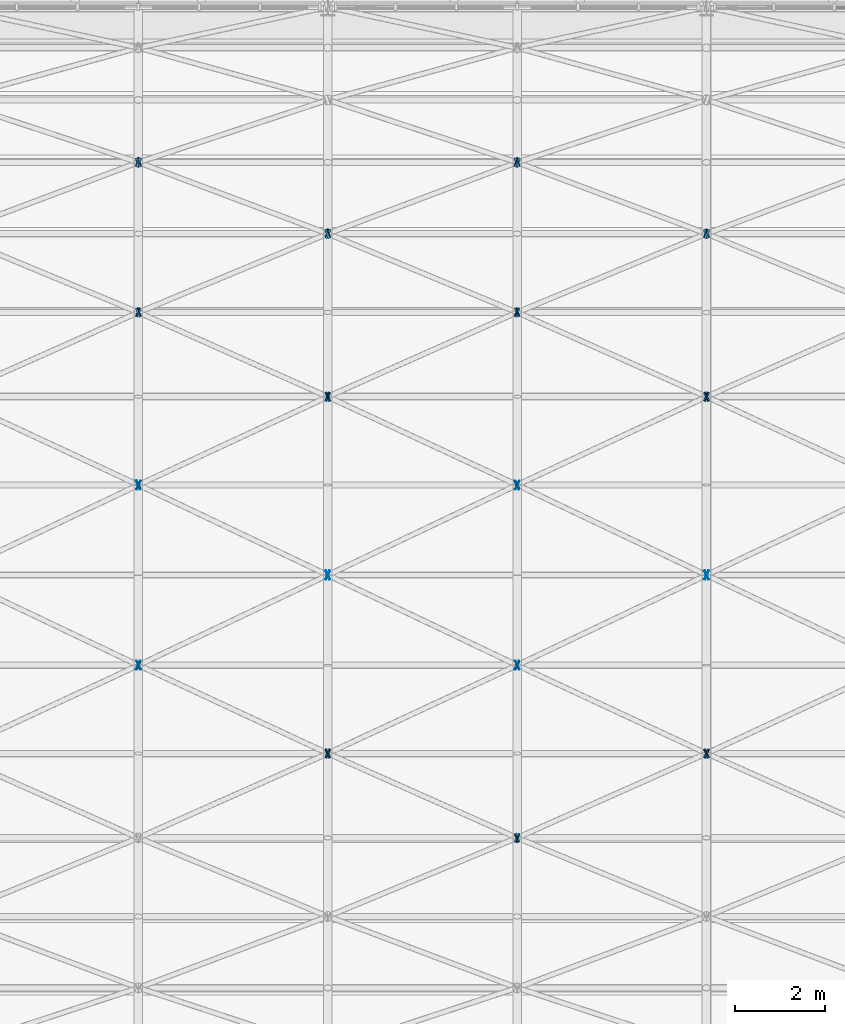
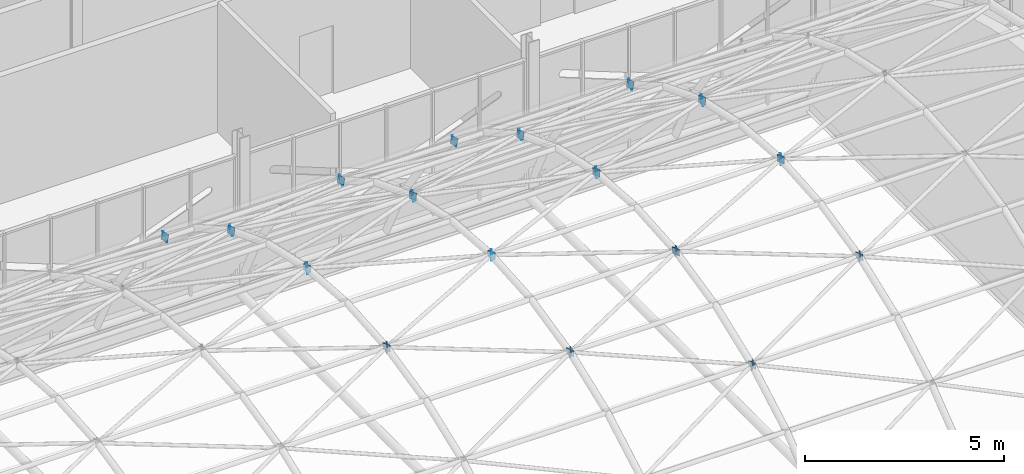
# One storey, part 114 of 121: 68 discrete accessories.
"""IFC4 building model written with IfcOpenShell, lengths in metres."""

from ifc_helpers import new_model, si_unit, direction, frame, origin, origin_2d, place, context, subcontext, project, spatial, rectangle, extrude, material, material_profile, profile_set, type_object, element, save


model = new_model("IFC4")

# Units and contexts
model_context = context("Model", 3, precision=1e-05, world=origin(), true_north=direction((0.0, 1.0)))
body_context = subcontext(model_context, "Body", "Model", "MODEL_VIEW")
ifc_project = project(units=[si_unit("LENGTHUNIT", "METRE"), si_unit("AREAUNIT", "SQUARE_METRE"), si_unit("VOLUMEUNIT", "CUBIC_METRE"), si_unit("PLANEANGLEUNIT", "RADIAN"), si_unit("MASSUNIT", "GRAM", prefix="KILO")], contexts=[model_context])

# Site, building, storey
site_placement = place(None, origin())
site = spatial("IfcSite", under=ifc_project, at=site_placement, CompositionType="ELEMENT")
building_placement = place(site_placement, origin())
building = spatial("IfcBuilding", under=site, at=building_placement, Name="Ardhachandra Cancer Care Centre", CompositionType="ELEMENT")
storey_placement = place(building_placement, frame((0.0, 0.0, 9.0)))
storey = spatial("IfcBuildingStorey", under=building, at=storey_placement, Name="L02", CompositionType="ELEMENT", Elevation=9.0)

# Discrete accessories
ifc_material = material(Name="Steel E250 (IS 2062)", Category="steel")
ifc_material_profile = material_profile(ifc_material, rectangle(XDim=0.21435546875, YDim=0.21435546875, at=origin_2d()), Name="PL 214x214x12")
ifc_profile_set = profile_set([ifc_material_profile], Name="Steel E250 (IS 2062)")
discrete_accessory_type = type_object("IfcDiscreteAccessoryType", Name="Diagonal end plate 214 x 214 x 12", PredefinedType="BRACKET", material=ifc_profile_set)
for number, where, z_axis, x_axis, name in (
    (1, (90.60009765625, 65.20068359375, 8.252685546875), (-0.903257601642, -0.421520214099, -0.08028956459), (0.422885465331, -0.906183139995, 0.0), "Diagonal end plate Hall shell diagonal 10-06 2"),
    (2, (90.60009765625, 65.20068359375, 8.252685546875), (-0.905449091159, 0.422542909207, 0.040242181829), (-0.422885465331, -0.906183139995, 0.0), "Diagonal end plate Hall shell diagonal 11-07 1"),
    (3, (90.60009765625, 69.19921875, 8.252685546875), (-0.905449091159, -0.422542909207, 0.040242181829), (0.422885465331, -0.906183139995, 0.0), "Diagonal end plate Hall shell diagonal 10-08 2"),
    (4, (90.60009765625, 69.19921875, 8.252685546875), (-0.903257601642, 0.421520214099, -0.08028956459), (-0.422885465331, -0.906183139995, 0.0), "Diagonal end plate Hall shell diagonal 11-09 1"),
):
    element("IfcDiscreteAccessory", number, at=place(storey_placement, frame(where, z_axis=z_axis, x_axis=x_axis)), inside=storey, type_object=discrete_accessory_type, Name=name, PredefinedType="BRACKET", context=body_context, shape_type="SweptSolid", body=[
        extrude(rectangle(XDim=0.21435546875, YDim=0.21435546875, at=origin_2d()), origin(), (0.0, 0.0, 1.0), 0.01220703125),
    ])
discrete_accessory_1_placement = place(storey_placement, frame((90.60009765625, 73.0263671875, 7.093994140625), z_axis=(-0.909137290097, -0.38385796693, 0.161624407128), x_axis=(0.38897203704, -0.921249561411, 0.0)))
element("IfcDiscreteAccessory", 5, at=discrete_accessory_1_placement, inside=storey, type_object=discrete_accessory_type, Name="Diagonal end plate Hall shell diagonal 10-10 2", PredefinedType="BRACKET", context=body_context, shape_type="SweptSolid", body=[
    extrude(rectangle(XDim=0.21435546875, YDim=0.21435546875, at=origin_2d()), origin(), (0.0, 0.0, 1.0), 0.011962890625),
])
for number, where, z_axis, x_axis, name in (
    (6, (90.60009765625, 73.0263671875, 7.093994140625), (-0.902530633635, 0.381068489757, -0.20056236303), (-0.38897203704, -0.921249561411, 0.0), "Diagonal end plate Hall shell diagonal 11-11 1"),
    (7, (90.60009765625, 76.353515625, 4.8759765625), (-0.903075694963, -0.341161929208, 0.260888534101), (0.353400568719, -0.935472093667, 0.0), "Diagonal end plate Hall shell diagonal 10-12 2"),
    (8, (90.60009765625, 76.353515625, 4.8759765625), (-0.904534033733, 0.301511344578, -0.301511344578), (-0.316227766017, -0.948683298051, 0.0), "Diagonal end plate Hall shell diagonal 11-13 1"),
    (9, (94.800048828125, 63.244384765625, 7.814208984375), (-0.904716823274, -0.4020963659, -0.140733728065), (0.406138466053, -0.91381154862, 0.0), "Diagonal end plate Hall shell diagonal 11-05 2"),
    (10, (94.800048828125, 63.244384765625, 7.814208984375), (-0.901624387163, 0.420758047343, 0.100180487463), (-0.422885465331, -0.906183139995, 0.0), "Diagonal end plate Hall shell diagonal 12-06 1"),
):
    element("IfcDiscreteAccessory", number, at=place(storey_placement, frame(where, z_axis=z_axis, x_axis=x_axis)), inside=storey, type_object=discrete_accessory_type, Name=name, PredefinedType="BRACKET", context=body_context, shape_type="SweptSolid", body=[
        extrude(rectangle(XDim=0.21435546875, YDim=0.21435546875, at=origin_2d()), origin(), (0.0, 0.0, 1.0), 0.01220703125),
    ])
for number, where, z_axis, x_axis, name in (
    (11, (90.60009765625, 65.20068359375, 8.252685546875), (0.899458907781, -0.429287205986, -0.081768991616), (0.430729586215, 0.902481037784, 0.0), "Diagonal end plate Hall shell diagonal 12-06 2"),
    (12, (90.60009765625, 65.20068359375, 8.252685546875), (0.901722650223, 0.430367628516, 0.040987393192), (-0.430729586215, 0.902481037784, 0.0), "Diagonal end plate Hall shell diagonal 11-07 1"),
):
    element("IfcDiscreteAccessory", number, at=place(storey_placement, frame(where, z_axis=z_axis, x_axis=x_axis)), inside=storey, type_object=discrete_accessory_type, Name=name, PredefinedType="BRACKET", context=body_context, shape_type="SweptSolid", body=[
        extrude(rectangle(XDim=0.21435546875, YDim=0.21435546875, at=origin_2d()), origin(), (0.0, 0.0, 1.0), 0.011962890625),
    ])
for number, where, z_axis, x_axis, name in (
    (13, (94.800048828125, 67.199951171875, 8.39990234375), (-0.905999460427, -0.422799748199, -0.020133321343), (0.422885465331, -0.906183139995, 0.0), "Diagonal end plate Hall shell diagonal 11-07 2"),
    (14, (94.800048828125, 67.199951171875, 8.39990234375), (-0.905999460427, 0.422799748199, -0.020133321343), (-0.422885465331, -0.906183139995, 0.0), "Diagonal end plate Hall shell diagonal 12-08 1"),
):
    element("IfcDiscreteAccessory", number, at=place(storey_placement, frame(where, z_axis=z_axis, x_axis=x_axis)), inside=storey, type_object=discrete_accessory_type, Name=name, PredefinedType="BRACKET", context=body_context, shape_type="SweptSolid", body=[
        extrude(rectangle(XDim=0.21435546875, YDim=0.21435546875, at=origin_2d()), origin(), (0.0, 0.0, 1.0), 0.01220703125),
    ])
for number, where, z_axis, x_axis, name in (
    (15, (90.60009765625, 69.19921875, 8.252685546875), (0.901722650223, -0.430367628516, 0.040987393192), (0.430729586215, 0.902481037784, 0.0), "Diagonal end plate Hall shell diagonal 12-08 2"),
    (16, (90.60009765625, 69.19921875, 8.252685546875), (0.899458907781, 0.429287205986, -0.081768991616), (-0.430729586215, 0.902481037784, 0.0), "Diagonal end plate Hall shell diagonal 11-09 1"),
):
    element("IfcDiscreteAccessory", number, at=place(storey_placement, frame(where, z_axis=z_axis, x_axis=x_axis)), inside=storey, type_object=discrete_accessory_type, Name=name, PredefinedType="BRACKET", context=body_context, shape_type="SweptSolid", body=[
        extrude(rectangle(XDim=0.21435546875, YDim=0.21435546875, at=origin_2d()), origin(), (0.0, 0.0, 1.0), 0.011962890625),
    ])
for number, where, z_axis, x_axis, name in (
    (17, (94.800048828125, 71.155517578125, 7.814208984375), (-0.901624387163, -0.420758047343, 0.100180487463), (0.422885465331, -0.906183139995, 0.0), "Diagonal end plate Hall shell diagonal 11-09 2"),
    (18, (94.800048828125, 71.155517578125, 7.814208984375), (-0.904716823274, 0.4020963659, -0.140733728065), (-0.406138466053, -0.91381154862, 0.0), "Diagonal end plate Hall shell diagonal 12-10 1"),
):
    element("IfcDiscreteAccessory", number, at=place(storey_placement, frame(where, z_axis=z_axis, x_axis=x_axis)), inside=storey, type_object=discrete_accessory_type, Name=name, PredefinedType="BRACKET", context=body_context, shape_type="SweptSolid", body=[
        extrude(rectangle(XDim=0.21435546875, YDim=0.21435546875, at=origin_2d()), origin(), (0.0, 0.0, 1.0), 0.01220703125),
    ])
for number, where, z_axis, x_axis, name in (
    (19, (90.60009765625, 73.0263671875, 7.093994140625), (0.905533836482, -0.391025974844, 0.164642515724), (0.3964360163, 0.918062353536, 0.0), "Diagonal end plate Hall shell diagonal 12-10 2"),
    (20, (90.60009765625, 73.0263671875, 7.093994140625), (0.898708107226, 0.388078500848, -0.204251842551), (-0.3964360163, 0.918062353536, 0.0), "Diagonal end plate Hall shell diagonal 11-11 1"),
):
    element("IfcDiscreteAccessory", number, at=place(storey_placement, frame(where, z_axis=z_axis, x_axis=x_axis)), inside=storey, type_object=discrete_accessory_type, Name=name, PredefinedType="BRACKET", context=body_context, shape_type="SweptSolid", body=[
        extrude(rectangle(XDim=0.21435546875, YDim=0.21435546875, at=origin_2d()), origin(), (0.0, 0.0, 1.0), 0.011962890625),
    ])
discrete_accessory_2_placement = place(storey_placement, frame((94.800048828125, 74.771728515625, 6.107421875), z_axis=(-0.898742639841, -0.3794691146, 0.219692645294), x_axis=(0.38897203704, -0.921249561411, 0.0)))
element("IfcDiscreteAccessory", 21, at=discrete_accessory_2_placement, inside=storey, type_object=discrete_accessory_type, Name="Diagonal end plate Hall shell diagonal 11-11 2", PredefinedType="BRACKET", context=body_context, shape_type="SweptSolid", body=[
    extrude(rectangle(XDim=0.21435546875, YDim=0.21435546875, at=origin_2d()), origin(), (0.0, 0.0, 1.0), 0.01220703125),
])
for number, where, z_axis, x_axis, name in (
    (22, (94.800048828125, 74.771728515625, 6.107421875), (-0.909137290097, 0.323248814257, -0.262639661584), (-0.335009667655, -0.942214690279, 0.0), "Diagonal end plate Hall shell diagonal 12-12 1"),
    (23, (90.60009765625, 76.353515625, 4.8759765625), (0.899271031245, -0.347445625708, 0.265693713777), (0.360399279202, 0.932798134406, 0.0), "Diagonal end plate Hall shell diagonal 12-12 2"),
    (24, (90.60009765625, 76.353515625, 4.8759765625), (0.900777348936, 0.307083187137, -0.307083187137), (-0.322673927788, 0.946510188179, 0.0), "Diagonal end plate Hall shell diagonal 11-13 1"),
    (25, (99.0, 61.37353515625, 7.093994140625), (-0.905725666552, -0.370524136317, -0.205846742398), (0.378632845721, -0.925546956206, 0.0), "Diagonal end plate Hall shell diagonal 12-04 2"),
    (26, (99.0, 61.37353515625, 7.093994140625), (-0.89814623902, 0.408248290464, 0.163299316186), (-0.413802944301, -0.910366477463, 0.0), "Diagonal end plate Hall shell diagonal 13-05 1"),
    (27, (94.800048828125, 63.244384765625, 7.814208984375), (0.900966171356, -0.409530077889, -0.143335527261), (0.413802944301, 0.910366477463, 0.0), "Diagonal end plate Hall shell diagonal 13-05 2"),
    (28, (94.800048828125, 63.244384765625, 7.814208984375), (0.897772245151, 0.428482207913, 0.102019573313), (-0.430729586215, 0.902481037784, 0.0), "Diagonal end plate Hall shell diagonal 12-06 1"),
    (29, (99.0, 65.20068359375, 8.252685546875), (-0.899458907781, -0.429287205986, -0.081768991616), (0.430729586215, -0.902481037784, 0.0), "Diagonal end plate Hall shell diagonal 12-06 2"),
    (30, (99.0, 65.20068359375, 8.252685546875), (-0.901722650223, 0.430367628516, 0.040987393192), (-0.430729586215, -0.902481037784, 0.0), "Diagonal end plate Hall shell diagonal 13-07 1"),
    (31, (94.800048828125, 67.199951171875, 8.39990234375), (0.902291261515, -0.430639011177, -0.02050661958), (0.430729586215, 0.902481037784, 0.0), "Diagonal end plate Hall shell diagonal 13-07 2"),
    (32, (94.800048828125, 67.199951171875, 8.39990234375), (0.902291261515, 0.430639011177, -0.02050661958), (-0.430729586215, 0.902481037784, 0.0), "Diagonal end plate Hall shell diagonal 12-08 1"),
    (33, (99.0, 69.19921875, 8.252685546875), (-0.901722650223, -0.430367628516, 0.040987393192), (0.430729586215, -0.902481037784, 0.0), "Diagonal end plate Hall shell diagonal 12-08 2"),
    (34, (99.0, 69.19921875, 8.252685546875), (-0.899458907781, 0.429287205986, -0.081768991616), (-0.430729586215, -0.902481037784, 0.0), "Diagonal end plate Hall shell diagonal 13-09 1"),
    (35, (94.800048828125, 71.155517578125, 7.814208984375), (0.897772245151, -0.428482207913, 0.102019573313), (0.430729586215, 0.902481037784, 0.0), "Diagonal end plate Hall shell diagonal 13-09 2"),
    (36, (94.800048828125, 71.155517578125, 7.814208984375), (0.900966171356, 0.409530077889, -0.143335527261), (-0.413802944301, 0.910366477463, 0.0), "Diagonal end plate Hall shell diagonal 12-10 1"),
    (37, (99.0, 73.0263671875, 7.093994140625), (-0.905533836482, -0.391025974844, 0.164642515724), (0.3964360163, -0.918062353536, 0.0), "Diagonal end plate Hall shell diagonal 12-10 2"),
    (38, (99.0, 73.0263671875, 7.093994140625), (-0.898708107226, 0.388078500848, -0.204251842551), (-0.3964360163, -0.918062353536, 0.0), "Diagonal end plate Hall shell diagonal 13-11 1"),
    (39, (94.800048828125, 74.771728515625, 6.107421875), (0.89479701826, -0.386389621521, 0.223699254565), (0.3964360163, 0.918062353536, 0.0), "Diagonal end plate Hall shell diagonal 13-11 2"),
    (40, (94.800048828125, 74.771728515625, 6.107421875), (0.905533836482, 0.329285031448, -0.267544088051), (-0.341743063087, 0.939793423488, 0.0), "Diagonal end plate Hall shell diagonal 12-12 1"),
    (41, (99.0, 76.353515625, 4.8759765625), (-0.899271031245, -0.347445625708, 0.265693713777), (0.360399279202, -0.932798134406, 0.0), "Diagonal end plate Hall shell diagonal 12-12 2"),
    (42, (99.0, 76.353515625, 4.8759765625), (-0.900777348936, 0.307083187137, -0.307083187137), (-0.322673927788, -0.946510188179, 0.0), "Diagonal end plate Hall shell diagonal 13-13 1"),
    (43, (99.0, 61.37353515625, 7.093994140625), (0.905725666552, -0.370524136317, -0.205846742398), (0.378632845721, 0.925546956206, 0.0), "Diagonal end plate Hall shell diagonal 14-04 2"),
    (44, (99.0, 61.37353515625, 7.093994140625), (0.89814623902, 0.408248290464, 0.163299316186), (-0.413802944301, 0.910366477463, 0.0), "Diagonal end plate Hall shell diagonal 13-05 1"),
    (45, (103.199951171875, 63.244384765625, 7.814208984375), (-0.900966171356, -0.409530077889, -0.143335527261), (0.413802944301, -0.910366477463, 0.0), "Diagonal end plate Hall shell diagonal 13-05 2"),
    (46, (103.199951171875, 63.244384765625, 7.814208984375), (-0.897772245151, 0.428482207913, 0.102019573313), (-0.430729586215, -0.902481037784, 0.0), "Diagonal end plate Hall shell diagonal 14-06 1"),
    (47, (99.0, 65.20068359375, 8.252685546875), (0.899458907781, -0.429287205986, -0.081768991616), (0.430729586215, 0.902481037784, 0.0), "Diagonal end plate Hall shell diagonal 14-06 2"),
    (48, (99.0, 65.20068359375, 8.252685546875), (0.901722650223, 0.430367628516, 0.040987393192), (-0.430729586215, 0.902481037784, 0.0), "Diagonal end plate Hall shell diagonal 13-07 1"),
    (49, (103.199951171875, 67.199951171875, 8.39990234375), (-0.902291261515, -0.430639011177, -0.02050661958), (0.430729586215, -0.902481037784, 0.0), "Diagonal end plate Hall shell diagonal 13-07 2"),
    (50, (103.199951171875, 67.199951171875, 8.39990234375), (-0.902291261515, 0.430639011177, -0.02050661958), (-0.430729586215, -0.902481037784, 0.0), "Diagonal end plate Hall shell diagonal 14-08 1"),
    (51, (99.0, 69.19921875, 8.252685546875), (0.901722650223, -0.430367628516, 0.040987393192), (0.430729586215, 0.902481037784, 0.0), "Diagonal end plate Hall shell diagonal 14-08 2"),
    (52, (99.0, 69.19921875, 8.252685546875), (0.899458907781, 0.429287205986, -0.081768991616), (-0.430729586215, 0.902481037784, 0.0), "Diagonal end plate Hall shell diagonal 13-09 1"),
    (53, (103.199951171875, 71.155517578125, 7.814208984375), (-0.897772245151, -0.428482207913, 0.102019573313), (0.430729586215, -0.902481037784, 0.0), "Diagonal end plate Hall shell diagonal 13-09 2"),
    (54, (103.199951171875, 71.155517578125, 7.814208984375), (-0.900966171356, 0.409530077889, -0.143335527261), (-0.413802944301, -0.910366477463, 0.0), "Diagonal end plate Hall shell diagonal 14-10 1"),
    (55, (99.0, 73.0263671875, 7.093994140625), (0.905533836482, -0.391025974844, 0.164642515724), (0.3964360163, 0.918062353536, 0.0), "Diagonal end plate Hall shell diagonal 14-10 2"),
    (56, (99.0, 73.0263671875, 7.093994140625), (0.898708107226, 0.388078500848, -0.204251842551), (-0.3964360163, 0.918062353536, 0.0), "Diagonal end plate Hall shell diagonal 13-11 1"),
    (57, (103.199951171875, 74.771728515625, 6.107421875), (-0.89479701826, -0.386389621521, 0.223699254565), (0.3964360163, -0.918062353536, 0.0), "Diagonal end plate Hall shell diagonal 13-11 2"),
    (58, (103.199951171875, 74.771728515625, 6.107421875), (-0.905533836482, 0.329285031448, -0.267544088051), (-0.341743063087, -0.939793423488, 0.0), "Diagonal end plate Hall shell diagonal 14-12 1"),
    (59, (99.0, 76.353515625, 4.8759765625), (0.899271031245, -0.347445625708, 0.265693713777), (0.360399279202, 0.932798134406, 0.0), "Diagonal end plate Hall shell diagonal 14-12 2"),
    (60, (99.0, 76.353515625, 4.8759765625), (0.900777348936, 0.307083187137, -0.307083187137), (-0.322673927788, 0.946510188179, 0.0), "Diagonal end plate Hall shell diagonal 13-13 1"),
):
    element("IfcDiscreteAccessory", number, at=place(storey_placement, frame(where, z_axis=z_axis, x_axis=x_axis)), inside=storey, type_object=discrete_accessory_type, Name=name, PredefinedType="BRACKET", context=body_context, shape_type="SweptSolid", body=[
        extrude(rectangle(XDim=0.21435546875, YDim=0.21435546875, at=origin_2d()), origin(), (0.0, 0.0, 1.0), 0.011962890625),
    ])
for number, where, z_axis, x_axis, name in (
    (61, (103.199951171875, 63.244384765625, 7.814208984375), (0.904716823274, -0.4020963659, -0.140733728065), (0.406138466053, 0.91381154862, 0.0), "Diagonal end plate Hall shell diagonal 15-05 2"),
    (62, (103.199951171875, 63.244384765625, 7.814208984375), (0.901624387163, 0.420758047343, 0.100180487463), (-0.422885465331, 0.906183139995, 0.0), "Diagonal end plate Hall shell diagonal 14-06 1"),
    (63, (103.199951171875, 67.199951171875, 8.39990234375), (0.905999460427, -0.422799748199, -0.020133321343), (0.422885465331, 0.906183139995, 0.0), "Diagonal end plate Hall shell diagonal 15-07 2"),
    (64, (103.199951171875, 67.199951171875, 8.39990234375), (0.905999460427, 0.422799748199, -0.020133321343), (-0.422885465331, 0.906183139995, 0.0), "Diagonal end plate Hall shell diagonal 14-08 1"),
    (65, (103.199951171875, 71.155517578125, 7.814208984375), (0.901624387163, -0.420758047343, 0.100180487463), (0.422885465331, 0.906183139995, 0.0), "Diagonal end plate Hall shell diagonal 15-09 2"),
    (66, (103.199951171875, 71.155517578125, 7.814208984375), (0.904716823274, 0.4020963659, -0.140733728065), (-0.406138466053, 0.91381154862, 0.0), "Diagonal end plate Hall shell diagonal 14-10 1"),
    (67, (103.199951171875, 74.771728515625, 6.107421875), (0.898742639841, -0.3794691146, 0.219692645294), (0.38897203704, 0.921249561411, 0.0), "Diagonal end plate Hall shell diagonal 15-11 2"),
):
    element("IfcDiscreteAccessory", number, at=place(storey_placement, frame(where, z_axis=z_axis, x_axis=x_axis)), inside=storey, type_object=discrete_accessory_type, Name=name, PredefinedType="BRACKET", context=body_context, shape_type="SweptSolid", body=[
        extrude(rectangle(XDim=0.21435546875, YDim=0.21435546875, at=origin_2d()), origin(), (0.0, 0.0, 1.0), 0.01220703125),
    ])
discrete_accessory_3_placement = place(storey_placement, frame((103.199951171875, 74.771728515625, 6.107421875), z_axis=(0.909137290097, 0.323248814257, -0.262639661584), x_axis=(-0.335009667655, 0.942214690279, 0.0)))
element("IfcDiscreteAccessory", 68, at=discrete_accessory_3_placement, inside=storey, type_object=discrete_accessory_type, Name="Diagonal end plate Hall shell diagonal 14-12 1", PredefinedType="BRACKET", context=body_context, shape_type="SweptSolid", body=[
    extrude(rectangle(XDim=0.21435546875, YDim=0.21435546875, at=origin_2d()), origin(), (0.0, 0.0, 1.0), 0.011962890625),
])

save(model, "model.ifc")
